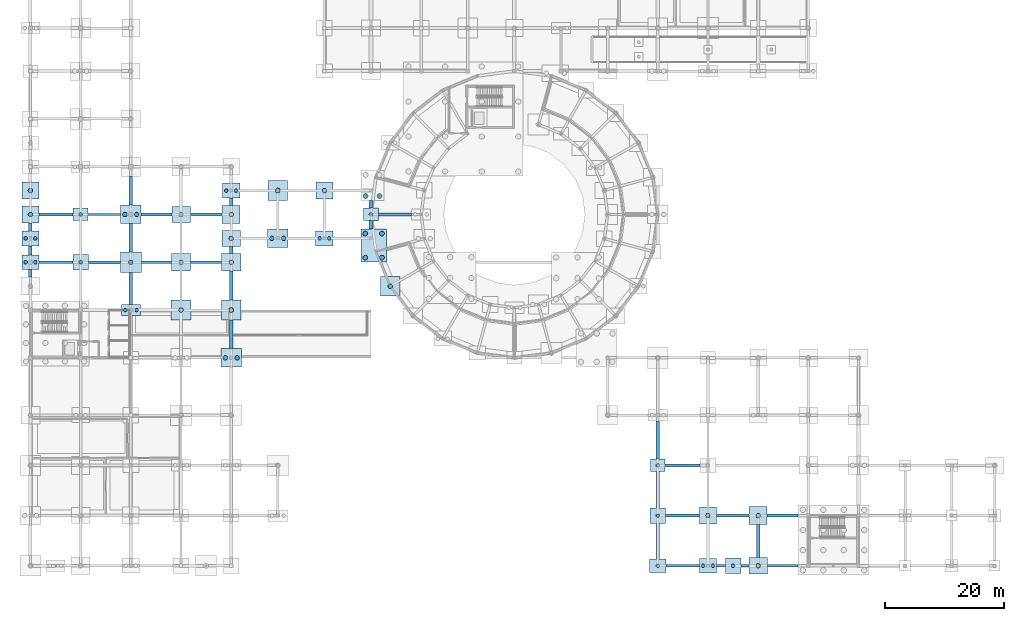
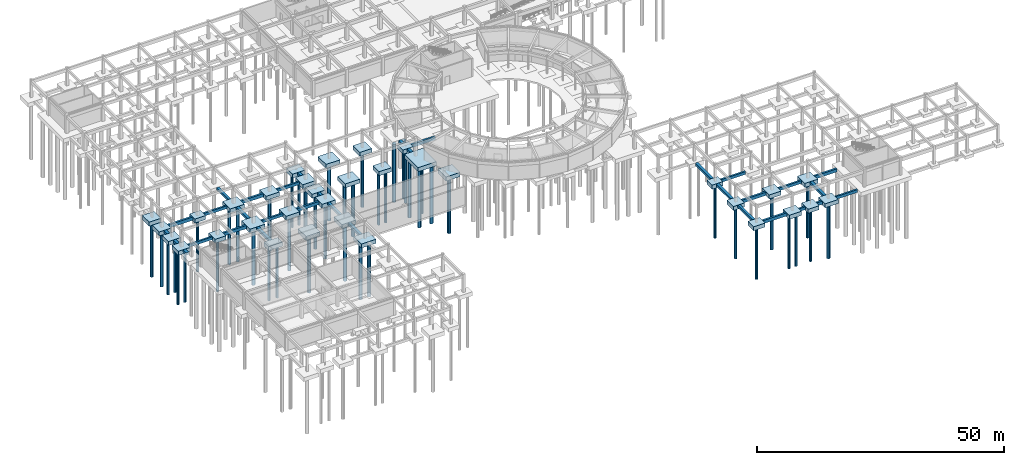
# One storey, part 2 of 43: 66 footings, 47 piles.
"""IFC4 building model written with IfcOpenShell, lengths in metres."""

import ifcopenshell
import ifcopenshell.guid

model = None  # the IFC model being written
_history = None  # IfcOwnerHistory: only IFC2X3 demands one
_inside = {}  # id of a spatial element -> (the spatial element, [elements in it])
_under = {}  # id of a project, library or spatial element -> (it, [spatial elements below it])
_declared = {}  # id of a project -> (the project, [libraries it declares])
_typed = {}  # id of a type object -> (the type object, [elements of that type])
_made_of = {}  # id of a material, layer set ... -> (it, [elements and type objects made of it])


def new_model(schema):
    """Start an empty IFC model of exactly this schema.

    Asked for "IFC4X3", IfcOpenShell would pick the latest addendum, in which some entities
    have other attributes; the version numbers below select the first issue.
    IFC2X3 requires an IfcOwnerHistory on every rooted entity: one is made here for all.
    """
    global model, _history
    if schema == "IFC4X3":
        model = ifcopenshell.file(schema_version=(4, 3, 0, 0))
    else:
        model = ifcopenshell.file(schema=schema)
    _inside.clear()
    _under.clear()
    _declared.clear()
    _typed.clear()
    _made_of.clear()
    _history = None
    if model.schema == "IFC2X3":
        org = make("IfcOrganization", Name="unknown")
        user = make(
            "IfcPersonAndOrganization",
            ThePerson=make("IfcPerson", FamilyName="unknown"),
            TheOrganization=org,
        )
        app = make(
            "IfcApplication",
            ApplicationDeveloper=org,
            Version="unknown",
            ApplicationFullName="unknown",
            ApplicationIdentifier="unknown",
        )
        _history = make(
            "IfcOwnerHistory",
            OwningUser=user,
            OwningApplication=app,
            ChangeAction="ADDED",
            CreationDate=0,
        )
    return model


def make(cls, **values):
    """One entity of the class cls with the attributes given. An attribute that is None is left unset."""
    return model.create_entity(
        cls, **{name: value for name, value in values.items() if value is not None}
    )


def rooted(cls, **values):
    """An entity with a GlobalId (a new one), such as an element, a storey or a relation."""
    return make(cls, GlobalId=ifcopenshell.guid.new(), OwnerHistory=_history, **values)


def si_unit(unit_type, name, prefix=None):
    """IfcSIUnit, for example si_unit("LENGTHUNIT", "METRE", prefix="MILLI")."""
    return make("IfcSIUnit", UnitType=unit_type, Prefix=prefix, Name=name)


def derived_unit(unit_type, elements):
    """IfcDerivedUnit: a product of units, each with its exponent."""
    return make(
        "IfcDerivedUnit",
        Elements=[
            make("IfcDerivedUnitElement", Unit=unit, Exponent=power)
            for unit, power in elements
        ],
        UnitType=unit_type,
    )


def assignment(units):
    """IfcUnitAssignment: the units of a project."""
    return None if units is None else make("IfcUnitAssignment", Units=units)


def point(xyz):
    """IfcCartesianPoint."""
    return None if xyz is None else make("IfcCartesianPoint", Coordinates=xyz)


def direction(xyz):
    """IfcDirection."""
    return None if xyz is None else make("IfcDirection", DirectionRatios=xyz)


def frame(location, z_axis=None, x_axis=None):
    """IfcAxis2Placement3D, a coordinate frame: its origin and axes. An axis left out is left unset."""
    return make(
        "IfcAxis2Placement3D",
        Location=point(location),
        Axis=direction(z_axis),
        RefDirection=direction(x_axis),
    )


def frame_2d(location, x_axis=None):
    """IfcAxis2Placement2D, a coordinate frame in the plane: its origin and x axis."""
    return make(
        "IfcAxis2Placement2D", Location=point(location), RefDirection=direction(x_axis)
    )


def origin():
    """The frame at (0, 0, 0) with its axes left unset."""
    return frame((0.0, 0.0, 0.0))


def origin_2d():
    """The frame at (0, 0) in the plane with its x axis left unset."""
    return frame_2d((0.0, 0.0))


def place(relative_to, where):
    """IfcLocalPlacement: puts the frame where relative to a parent placement (None: the world)."""
    return make(
        "IfcLocalPlacement", PlacementRelTo=relative_to, RelativePlacement=where
    )


def context(
    kind, dimensions, precision=None, world=None, true_north=None, identifier=None
):
    """IfcGeometricRepresentationContext, for example the 3D "Model" context."""
    return make(
        "IfcGeometricRepresentationContext",
        ContextIdentifier=identifier,
        ContextType=kind,
        CoordinateSpaceDimension=dimensions,
        Precision=precision,
        WorldCoordinateSystem=world,
        TrueNorth=true_north,
    )


def subcontext(parent, identifier, kind, view, scale=None):
    """IfcGeometricRepresentationSubContext, for example "Body" below "Model"."""
    return make(
        "IfcGeometricRepresentationSubContext",
        ContextIdentifier=identifier,
        ContextType=kind,
        ParentContext=parent,
        TargetScale=scale,
        TargetView=view,
    )


def project(units=None, contexts=None):
    """IfcProject with its units and contexts."""
    return rooted(
        "IfcProject",
        Name="project",
        RepresentationContexts=contexts,
        UnitsInContext=assignment(units),
    )


def spatial(cls, under=None, at=None, **own):
    """A site, building, storey or space (cls), placed at a placement, below another one or the project."""
    s = rooted(cls, ObjectPlacement=at, **own)
    if under is not None:
        _under.setdefault(under.id(), (under, []))[1].append(s)
    return s


def profile(cls, at=None, kind="AREA", **sizes):
    """A parametric profile (cls). Its sizes go by their IFC names, for example OverallWidth=200.0."""
    return make(cls, ProfileType=kind, Position=at, **sizes)


def rectangle(**sizes):
    """IfcRectangleProfileDef."""
    return profile("IfcRectangleProfileDef", **sizes)


def circle(**sizes):
    """IfcCircleProfileDef."""
    return profile("IfcCircleProfileDef", **sizes)


def extrude(swept, where, along, depth):
    """IfcExtrudedAreaSolid: the profile swept, set in the frame where, extruded along a direction by depth."""
    return make(
        "IfcExtrudedAreaSolid",
        SweptArea=swept,
        Position=where,
        ExtrudedDirection=direction(along),
        Depth=depth,
    )


def shape(context_of_items, identifier, shape_type, items):
    """IfcShapeRepresentation: the items that make up one representation, for example the "Body"."""
    return make(
        "IfcShapeRepresentation",
        ContextOfItems=context_of_items,
        RepresentationIdentifier=identifier,
        RepresentationType=shape_type,
        Items=items,
    )


def material(Name=None, Category=None):
    """IfcMaterial."""
    return make("IfcMaterial", Name=Name, Category=Category)


def material_profile(
    of_material, cross_section, Name=None, Category=None, Priority=None
):
    """IfcMaterialProfile: a cross section and its material."""
    return make(
        "IfcMaterialProfile",
        Name=Name,
        Material=of_material,
        Profile=cross_section,
        Priority=Priority,
        Category=Category,
    )


def profile_set(profiles, Name=None, composite=None):
    """IfcMaterialProfileSet."""
    return make(
        "IfcMaterialProfileSet",
        Name=Name,
        MaterialProfiles=profiles,
        CompositeProfile=composite,
    )


def made_of(thing, what):
    """Note that an element or type object is made of a material, layer set ...; save() writes the relation."""
    if what is not None:
        _made_of.setdefault(what.id(), (what, []))[1].append(thing)
    return thing


def type_object(cls, material=None, **own):
    """A type object (cls), such as IfcWallType, which elements share."""
    return made_of(rooted(cls, **own), material)


def element(
    cls,
    number,
    at=None,
    inside=None,
    cuts=None,
    type_object=None,
    material=None,
    context=None,
    identifier="Body",
    shape_type=None,
    held_by="IfcProductDefinitionShape",
    body=None,
    shapes=None,
    **own,
):
    """One element of the class cls, such as IfcWall. Its Tag is "e" and its number.

    at: its placement. inside: the storey or other place that contains it. cuts: it is an
    opening in that element (IfcRelVoidsElement). A single representation is given by context,
    identifier, shape_type and body (its items); several are given by shapes. held_by: the class
    of the entity that holds the representations. save() writes the other relations.
    """
    e = rooted(cls, Tag="e%d" % number, ObjectPlacement=at, **own)
    if body is not None:
        shapes = [shape(context, identifier, shape_type, body)]
    if shapes is not None:
        e.Representation = make(held_by, Representations=shapes)
    if inside is not None:
        _inside.setdefault(inside.id(), (inside, []))[1].append(e)
    if cuts is not None:
        rooted(
            "IfcRelVoidsElement", RelatingBuildingElement=cuts, RelatedOpeningElement=e
        )
    if type_object is not None:
        _typed.setdefault(type_object.id(), (type_object, []))[1].append(e)
    return made_of(e, material)


def aggregate(whole, parts):
    """IfcRelAggregates: a whole, such as a stair, and the parts it consists of."""
    return rooted("IfcRelAggregates", RelatingObject=whole, RelatedObjects=parts)


def save(model, path):
    """Write the relations noted so far, then the file.

    IfcRelAggregates (storeys below a building ...), IfcRelContainedInSpatialStructure (elements
    in a storey), IfcRelDefinesByType, IfcRelAssociatesMaterial and IfcRelDeclares: one each for
    every whole, place, type object, material and project.
    """
    for whole, parts in _under.values():
        aggregate(whole, parts)
    for where, things in _inside.values():
        rooted(
            "IfcRelContainedInSpatialStructure",
            RelatedElements=things,
            RelatingStructure=where,
        )
    for kind, things in _typed.values():
        rooted("IfcRelDefinesByType", RelatedObjects=things, RelatingType=kind)
    for what, things in _made_of.values():
        rooted("IfcRelAssociatesMaterial", RelatedObjects=things, RelatingMaterial=what)
    for by, libraries in _declared.values():
        rooted("IfcRelDeclares", RelatingContext=by, RelatedDefinitions=libraries)
    model.write(path)


model = new_model("IFC4")

# Units and contexts
model_context = context("Model", 3, precision=1e-05, world=origin(), true_north=direction((0.0, 1.0)))
body_context = subcontext(model_context, "Body", "Model", "MODEL_VIEW")
ifc_project = project(units=[si_unit("LENGTHUNIT", "METRE"), si_unit("AREAUNIT", "SQUARE_METRE"), si_unit("VOLUMEUNIT", "CUBIC_METRE"), si_unit("PLANEANGLEUNIT", "RADIAN"), si_unit("MASSUNIT", "GRAM", prefix="KILO"), derived_unit("THERMALTRANSMITTANCEUNIT", [(si_unit("POWERUNIT", "WATT"), 1), (si_unit("AREAUNIT", "SQUARE_METRE"), -1), (si_unit("THERMODYNAMICTEMPERATUREUNIT", "KELVIN"), -1)])], contexts=[model_context])

# Site, building, storey
site_placement = place(None, origin())
site = spatial("IfcSite", under=ifc_project, at=site_placement, CompositionType="ELEMENT")
building_placement = place(site_placement, origin())
building = spatial("IfcBuilding", under=site, at=building_placement, Name="Yasenodar Specialist Clinic", CompositionType="ELEMENT")
storey_placement = place(building_placement, frame((0.0, 0.0, -4.5)))
storey = spatial("IfcBuildingStorey", under=building, at=storey_placement, Name="B1", CompositionType="ELEMENT", Elevation=-4.5)

# Footings
ifc_material_1 = material(Name="Concrete C35/45", Category="concrete")
ifc_material_profile_1 = material_profile(ifc_material_1, rectangle(XDim=0.39990234375, YDim=0.699951171875, at=origin_2d()), Name="RC 400x700")
ifc_profile_set_1 = profile_set([ifc_material_profile_1], Name="Concrete C35/45")
footing_type_1 = type_object("IfcFootingType", Name="FB-400x700", PredefinedType="FOOTING_BEAM", material=ifc_profile_set_1)
footing_1_placement = place(storey_placement, frame((114.85009765625, 0.0, -0.39990234375), z_axis=(1.0, 0.0, 0.0), x_axis=(0.0, 1.0, 0.0)))
element("IfcFooting", 1, at=footing_1_placement, inside=storey, type_object=footing_type_1, Name="B1 E-W Ground Tie Beam 004", PredefinedType="FOOTING_BEAM", context=body_context, shape_type="SweptSolid", body=[
    extrude(rectangle(XDim=0.39990234375, YDim=0.699951171875, at=origin_2d()), origin(), (0.0, 0.0, 1.0), 1.449951171875),
])
footing_2_placement = place(storey_placement, frame((123.35009765625, 0.0, -0.39990234375), z_axis=(1.0, 0.0, 0.0), x_axis=(0.0, 1.0, 0.0)))
element("IfcFooting", 2, at=footing_2_placement, inside=storey, type_object=footing_type_1, Name="B1 E-W Ground Tie Beam 006", PredefinedType="FOOTING_BEAM", context=body_context, shape_type="SweptSolid", body=[
    extrude(rectangle(XDim=0.39990234375, YDim=0.699951171875, at=origin_2d()), origin(), (0.0, 0.0, 1.0), 5.14990234375),
])
footing_3_placement = place(storey_placement, frame((114.800048828125, 8.39990234375, -0.39990234375), z_axis=(1.0, 0.0, 0.0), x_axis=(0.0, 1.0, 0.0)))
element("IfcFooting", 3, at=footing_3_placement, inside=storey, type_object=footing_type_1, Name="B1 E-W Ground Tie Beam 016", PredefinedType="FOOTING_BEAM", context=body_context, shape_type="SweptSolid", body=[
    extrude(rectangle(XDim=0.39990234375, YDim=0.699951171875, at=origin_2d()), origin(), (0.0, 0.0, 1.0), 5.5),
])
footing_4_placement = place(storey_placement, frame((106.25, 16.800048828125, -0.39990234375), z_axis=(1.0, 0.0, 0.0), x_axis=(0.0, 1.0, 0.0)))
element("IfcFooting", 4, at=footing_4_placement, inside=storey, type_object=footing_type_1, Name="B1 E-W Ground Tie Beam 026", PredefinedType="FOOTING_BEAM", context=body_context, shape_type="SweptSolid", body=[
    extrude(rectangle(XDim=0.39990234375, YDim=0.699951171875, at=origin_2d()), origin(), (0.0, 0.0, 1.0), 5.800048828125),
])
footing_5_placement = place(storey_placement, frame((1.449951171875, 50.800048828125, -0.39990234375), z_axis=(1.0, 0.0, 0.0), x_axis=(0.0, 1.0, 0.0)))
element("IfcFooting", 5, at=footing_5_placement, inside=storey, type_object=footing_type_1, Name="B1 E-W Ground Tie Beam 052", PredefinedType="FOOTING_BEAM", context=body_context, shape_type="SweptSolid", body=[
    extrude(rectangle(XDim=0.39990234375, YDim=0.699951171875, at=origin_2d()), origin(), (0.0, 0.0, 1.0), 5.650146484375),
])
footing_6_placement = place(storey_placement, frame((18.550048828125, 50.800048828125, -0.39990234375), z_axis=(1.0, 0.0, 0.0), x_axis=(0.0, 1.0, 0.0)))
element("IfcFooting", 6, at=footing_6_placement, inside=storey, type_object=footing_type_1, Name="B1 E-W Ground Tie Beam 054", PredefinedType="FOOTING_BEAM", context=body_context, shape_type="SweptSolid", body=[
    extrude(rectangle(XDim=0.39990234375, YDim=0.699951171875, at=origin_2d()), origin(), (0.0, 0.0, 1.0), 5.050048828125),
])
footing_7_placement = place(storey_placement, frame((9.64990234375, 58.800048828125, -0.39990234375), z_axis=(1.0, 0.0, 0.0), x_axis=(0.0, 1.0, 0.0)))
element("IfcFooting", 7, at=footing_7_placement, inside=storey, type_object=footing_type_1, Name="B1 E-W Ground Tie Beam 058", PredefinedType="FOOTING_BEAM", context=body_context, shape_type="SweptSolid", body=[
    extrude(rectangle(XDim=0.39990234375, YDim=0.699951171875, at=origin_2d()), origin(), (0.0, 0.0, 1.0), 5.4501953125),
])
footing_8_placement = place(storey_placement, frame((26.75, 58.800048828125, -0.39990234375), z_axis=(1.0, 0.0, 0.0), x_axis=(0.0, 1.0, 0.0)))
element("IfcFooting", 8, at=footing_8_placement, inside=storey, type_object=footing_type_1, Name="B1 E-W Ground Tie Beam 060", PredefinedType="FOOTING_BEAM", context=body_context, shape_type="SweptSolid", body=[
    extrude(rectangle(XDim=0.39990234375, YDim=0.699951171875, at=origin_2d()), origin(), (0.0, 0.0, 1.0), 5.35009765625),
])
ifc_material_profile_2 = material_profile(ifc_material_1, rectangle(XDim=0.449951171875, YDim=0.800048828125, at=origin_2d()), Name="RC 450x800")
ifc_profile_set_2 = profile_set([ifc_material_profile_2], Name="Concrete C35/45")
footing_type_2 = type_object("IfcFootingType", Name="FB-450x800", PredefinedType="FOOTING_BEAM", material=ifc_profile_set_2)
footing_9_placement = place(storey_placement, frame((106.35009765625, 0.0, -0.39990234375), z_axis=(1.0, 0.0, 0.0), x_axis=(0.0, 1.0, 0.0)))
element("IfcFooting", 9, at=footing_9_placement, inside=storey, type_object=footing_type_2, Name="B1 E-W Ground Tie Beam 003", PredefinedType="FOOTING_BEAM", context=body_context, shape_type="SweptSolid", body=[
    extrude(rectangle(XDim=0.449951171875, YDim=0.800048828125, at=origin_2d()), origin(), (0.0, 0.0, 1.0), 5.599853515625),
])
footing_10_placement = place(storey_placement, frame((118.89990234375, 0.0, -0.39990234375), z_axis=(1.0, 0.0, 0.0), x_axis=(0.0, 1.0, 0.0)))
element("IfcFooting", 10, at=footing_10_placement, inside=storey, type_object=footing_type_2, Name="B1 E-W Ground Tie Beam 005", PredefinedType="FOOTING_BEAM", context=body_context, shape_type="SweptSolid", body=[
    extrude(rectangle(XDim=0.449951171875, YDim=0.800048828125, at=origin_2d()), origin(), (0.0, 0.0, 1.0), 1.35009765625),
])
footing_11_placement = place(storey_placement, frame((106.300048828125, 8.39990234375, -0.39990234375), z_axis=(1.0, 0.0, 0.0), x_axis=(0.0, 1.0, 0.0)))
element("IfcFooting", 11, at=footing_11_placement, inside=storey, type_object=footing_type_2, Name="B1 E-W Ground Tie Beam 015", PredefinedType="FOOTING_BEAM", context=body_context, shape_type="SweptSolid", body=[
    extrude(rectangle(XDim=0.449951171875, YDim=0.800048828125, at=origin_2d()), origin(), (0.0, 0.0, 1.0), 5.699951171875),
])
footing_12_placement = place(storey_placement, frame((123.300048828125, 8.39990234375, -0.39990234375), z_axis=(1.0, 0.0, 0.0), x_axis=(0.0, 1.0, 0.0)))
element("IfcFooting", 12, at=footing_12_placement, inside=storey, type_object=footing_type_2, Name="B1 E-W Ground Tie Beam 017", PredefinedType="FOOTING_BEAM", context=body_context, shape_type="SweptSolid", body=[
    extrude(rectangle(XDim=0.449951171875, YDim=0.800048828125, at=origin_2d()), origin(), (0.0, 0.0, 1.0), 5.199951171875),
])
footing_13_placement = place(storey_placement, frame((9.699951171875, 50.800048828125, -0.39990234375), z_axis=(1.0, 0.0, 0.0), x_axis=(0.0, 1.0, 0.0)))
element("IfcFooting", 13, at=footing_13_placement, inside=storey, type_object=footing_type_2, Name="B1 E-W Ground Tie Beam 053", PredefinedType="FOOTING_BEAM", context=body_context, shape_type="SweptSolid", body=[
    extrude(rectangle(XDim=0.449951171875, YDim=0.800048828125, at=origin_2d()), origin(), (0.0, 0.0, 1.0), 5.35009765625),
])
footing_14_placement = place(storey_placement, frame((26.800048828125, 50.800048828125, -0.39990234375), z_axis=(1.0, 0.0, 0.0), x_axis=(0.0, 1.0, 0.0)))
element("IfcFooting", 14, at=footing_14_placement, inside=storey, type_object=footing_type_2, Name="B1 E-W Ground Tie Beam 055", PredefinedType="FOOTING_BEAM", context=body_context, shape_type="SweptSolid", body=[
    extrude(rectangle(XDim=0.449951171875, YDim=0.800048828125, at=origin_2d()), origin(), (0.0, 0.0, 1.0), 5.199951171875),
])
footing_15_placement = place(storey_placement, frame((1.39990234375, 58.800048828125, -0.39990234375), z_axis=(1.0, 0.0, 0.0), x_axis=(0.0, 1.0, 0.0)))
element("IfcFooting", 15, at=footing_15_placement, inside=storey, type_object=footing_type_2, Name="B1 E-W Ground Tie Beam 057", PredefinedType="FOOTING_BEAM", context=body_context, shape_type="SweptSolid", body=[
    extrude(rectangle(XDim=0.449951171875, YDim=0.800048828125, at=origin_2d()), origin(), (0.0, 0.0, 1.0), 5.75),
])
footing_16_placement = place(storey_placement, frame((18.5, 58.800048828125, -0.39990234375), z_axis=(1.0, 0.0, 0.0), x_axis=(0.0, 1.0, 0.0)))
element("IfcFooting", 16, at=footing_16_placement, inside=storey, type_object=footing_type_2, Name="B1 E-W Ground Tie Beam 059", PredefinedType="FOOTING_BEAM", context=body_context, shape_type="SweptSolid", body=[
    extrude(rectangle(XDim=0.449951171875, YDim=0.800048828125, at=origin_2d()), origin(), (0.0, 0.0, 1.0), 5.14990234375),
])
footing_17_placement = place(storey_placement, frame((58.25, 58.800048828125, -0.39990234375), z_axis=(1.0, 0.0, 0.0), x_axis=(0.0, 1.0, 0.0)))
element("IfcFooting", 17, at=footing_17_placement, inside=storey, type_object=footing_type_2, Name="B1 E-W Ground Tie Beam 061", PredefinedType="FOOTING_BEAM", context=body_context, shape_type="SweptSolid", body=[
    extrude(rectangle(XDim=0.449951171875, YDim=0.800048828125, at=origin_2d()), origin(), (0.0, 0.0, 1.0), 5.550048828125),
])
ifc_material_profile_3 = material_profile(ifc_material_1, rectangle(XDim=0.60009765625, YDim=0.60009765625, at=origin_2d()), Name="RC 600x600")
ifc_profile_set_3 = profile_set([ifc_material_profile_3], Name="Concrete C35/45")
footing_type_3 = type_object("IfcFootingType", Name="FB-600x600", PredefinedType="FOOTING_BEAM", material=ifc_profile_set_3)
footing_18_placement = place(storey_placement, frame((0.0, 48.300048828125, -0.300048828125), z_axis=(0.0, 1.0, 0.0), x_axis=(-1.0, 0.0, 0.0)))
element("IfcFooting", 18, at=footing_18_placement, inside=storey, type_object=footing_type_3, Name="B1 N-S Ground Tie Beam 127", PredefinedType="FOOTING_BEAM", context=body_context, shape_type="SweptSolid", body=[
    extrude(rectangle(XDim=0.60009765625, YDim=0.60009765625, at=origin_2d()), origin(), (0.0, 0.0, 1.0), 1.25),
])
footing_19_placement = place(storey_placement, frame((0.0, 52.050048828125, -0.300048828125), z_axis=(0.0, 1.0, 0.0), x_axis=(-1.0, 0.0, 0.0)))
element("IfcFooting", 19, at=footing_19_placement, inside=storey, type_object=footing_type_3, Name="B1 N-S Ground Tie Beam 128", PredefinedType="FOOTING_BEAM", context=body_context, shape_type="SweptSolid", body=[
    extrude(rectangle(XDim=0.60009765625, YDim=0.60009765625, at=origin_2d()), origin(), (0.0, 0.0, 1.0), 1.5),
])
footing_20_placement = place(storey_placement, frame((0.0, 56.050048828125, -0.300048828125), z_axis=(0.0, 1.0, 0.0), x_axis=(-1.0, 0.0, 0.0)))
element("IfcFooting", 20, at=footing_20_placement, inside=storey, type_object=footing_type_3, Name="B1 N-S Ground Tie Beam 129", PredefinedType="FOOTING_BEAM", context=body_context, shape_type="SweptSolid", body=[
    extrude(rectangle(XDim=0.60009765625, YDim=0.60009765625, at=origin_2d()), origin(), (0.0, 0.0, 1.0), 1.349853515625),
])
footing_21_placement = place(storey_placement, frame((16.800048828125, 43.75, -0.300048828125), z_axis=(0.0, 1.0, 0.0), x_axis=(-1.0, 0.0, 0.0)))
element("IfcFooting", 21, at=footing_21_placement, inside=storey, type_object=footing_type_3, Name="B1 N-S Ground Tie Beam 142", PredefinedType="FOOTING_BEAM", context=body_context, shape_type="SweptSolid", body=[
    extrude(rectangle(XDim=0.60009765625, YDim=0.60009765625, at=origin_2d()), origin(), (0.0, 0.0, 1.0), 5.300048828125),
])
footing_22_placement = place(storey_placement, frame((16.800048828125, 52.550048828125, -0.300048828125), z_axis=(0.0, 1.0, 0.0), x_axis=(-1.0, 0.0, 0.0)))
element("IfcFooting", 22, at=footing_22_placement, inside=storey, type_object=footing_type_3, Name="B1 N-S Ground Tie Beam 143", PredefinedType="FOOTING_BEAM", context=body_context, shape_type="SweptSolid", body=[
    extrude(rectangle(XDim=0.60009765625, YDim=0.60009765625, at=origin_2d()), origin(), (0.0, 0.0, 1.0), 4.699951171875),
])
for number, where, z_axis, x_axis, name in (
    (23, (16.800048828125, 60.35009765625, -0.300048828125), (0.0, 1.0, 0.0), (-1.0, 0.0, 0.0), "B1 N-S Ground Tie Beam 144"),
    (24, (33.60009765625, 36.35009765625, -0.300048828125), (0.0, 1.0, 0.0), (-1.0, 0.0, 0.0), "B1 N-S Ground Tie Beam 155"),
):
    element("IfcFooting", number, at=place(storey_placement, frame(where, z_axis=z_axis, x_axis=x_axis)), inside=storey, type_object=footing_type_3, Name=name, PredefinedType="FOOTING_BEAM", context=body_context, shape_type="SweptSolid", body=[
        extrude(rectangle(XDim=0.60009765625, YDim=0.60009765625, at=origin_2d()), origin(), (0.0, 0.0, 1.0), 4.7998046875),
    ])
footing_23_placement = place(storey_placement, frame((33.60009765625, 44.449951171875, -0.300048828125), z_axis=(0.0, 1.0, 0.0), x_axis=(-1.0, 0.0, 0.0)))
element("IfcFooting", 25, at=footing_23_placement, inside=storey, type_object=footing_type_3, Name="B1 N-S Ground Tie Beam 156", PredefinedType="FOOTING_BEAM", context=body_context, shape_type="SweptSolid", body=[
    extrude(rectangle(XDim=0.60009765625, YDim=0.60009765625, at=origin_2d()), origin(), (0.0, 0.0, 1.0), 4.900146484375),
])
footing_24_placement = place(storey_placement, frame((33.60009765625, 52.25, -0.300048828125), z_axis=(0.0, 1.0, 0.0), x_axis=(-1.0, 0.0, 0.0)))
element("IfcFooting", 26, at=footing_24_placement, inside=storey, type_object=footing_type_3, Name="B1 N-S Ground Tie Beam 157", PredefinedType="FOOTING_BEAM", context=body_context, shape_type="SweptSolid", body=[
    extrude(rectangle(XDim=0.60009765625, YDim=0.60009765625, at=origin_2d()), origin(), (0.0, 0.0, 1.0), 1.199951171875),
])
footing_25_placement = place(storey_placement, frame((33.60009765625, 60.300048828125, -0.300048828125), z_axis=(0.0, 1.0, 0.0), x_axis=(-1.0, 0.0, 0.0)))
element("IfcFooting", 27, at=footing_25_placement, inside=storey, type_object=footing_type_3, Name="B1 N-S Ground Tie Beam 158", PredefinedType="FOOTING_BEAM", context=body_context, shape_type="SweptSolid", body=[
    extrude(rectangle(XDim=0.60009765625, YDim=0.60009765625, at=origin_2d()), origin(), (0.0, 0.0, 1.0), 1.25),
])
footing_26_placement = place(storey_placement, frame((57.0, 56.35009765625, -0.300048828125), z_axis=(0.0, 1.0, 0.0), x_axis=(-1.0, 0.0, 0.0)))
element("IfcFooting", 28, at=footing_26_placement, inside=storey, type_object=footing_type_3, Name="B1 N-S Ground Tie Beam 162", PredefinedType="FOOTING_BEAM", context=body_context, shape_type="SweptSolid", body=[
    extrude(rectangle(XDim=0.60009765625, YDim=0.60009765625, at=origin_2d()), origin(), (0.0, 0.0, 1.0), 1.39990234375),
])
footing_27_placement = place(storey_placement, frame((57.0, 59.85009765625, -0.300048828125), z_axis=(0.0, 1.0, 0.0), x_axis=(-1.0, 0.0, 0.0)))
element("IfcFooting", 29, at=footing_27_placement, inside=storey, type_object=footing_type_3, Name="B1 N-S Ground Tie Beam 163", PredefinedType="FOOTING_BEAM", context=body_context, shape_type="SweptSolid", body=[
    extrude(rectangle(XDim=0.60009765625, YDim=0.60009765625, at=origin_2d()), origin(), (0.0, 0.0, 1.0), 1.2998046875),
])
footing_28_placement = place(storey_placement, frame((105.0, 1.14990234375, -0.300048828125), z_axis=(0.0, 1.0, 0.0), x_axis=(-1.0, 0.0, 0.0)))
element("IfcFooting", 30, at=footing_28_placement, inside=storey, type_object=footing_type_3, Name="B1 N-S Ground Tie Beam 171", PredefinedType="FOOTING_BEAM", context=body_context, shape_type="SweptSolid", body=[
    extrude(rectangle(XDim=0.60009765625, YDim=0.60009765625, at=origin_2d()), origin(), (0.0, 0.0, 1.0), 5.9501953125),
])
footing_29_placement = place(storey_placement, frame((105.0, 9.699951171875, -0.300048828125), z_axis=(0.0, 1.0, 0.0), x_axis=(-1.0, 0.0, 0.0)))
element("IfcFooting", 31, at=footing_29_placement, inside=storey, type_object=footing_type_3, Name="B1 N-S Ground Tie Beam 172", PredefinedType="FOOTING_BEAM", context=body_context, shape_type="SweptSolid", body=[
    extrude(rectangle(XDim=0.60009765625, YDim=0.60009765625, at=origin_2d()), origin(), (0.0, 0.0, 1.0), 6.050048828125),
])
footing_30_placement = place(storey_placement, frame((105.0, 17.85009765625, -0.300048828125), z_axis=(0.0, 1.0, 0.0), x_axis=(-1.0, 0.0, 0.0)))
element("IfcFooting", 32, at=footing_30_placement, inside=storey, type_object=footing_type_3, Name="B1 N-S Ground Tie Beam 173", PredefinedType="FOOTING_BEAM", context=body_context, shape_type="SweptSolid", body=[
    extrude(rectangle(XDim=0.60009765625, YDim=0.60009765625, at=origin_2d()), origin(), (0.0, 0.0, 1.0), 6.39990234375),
])
footing_31_placement = place(storey_placement, frame((121.800048828125, 1.35009765625, -0.300048828125), z_axis=(0.0, 1.0, 0.0), x_axis=(-1.0, 0.0, 0.0)))
element("IfcFooting", 33, at=footing_31_placement, inside=storey, type_object=footing_type_3, Name="B1 N-S Ground Tie Beam 181", PredefinedType="FOOTING_BEAM", context=body_context, shape_type="SweptSolid", body=[
    extrude(rectangle(XDim=0.60009765625, YDim=0.60009765625, at=origin_2d()), origin(), (0.0, 0.0, 1.0), 5.5498046875),
])
footing_type_4 = type_object("IfcFootingType", Name="PC-250x210", PredefinedType="PILE_CAP", material=ifc_material_1)
for number, where, z_axis, x_axis, name in (
    (34, (105.0, 16.800048828125, -1.0), (0.0, 0.0, 1.0), (1.0, 0.0, 0.0), "B1 Pile Cap 030"),
    (35, (8.39990234375, 58.800048828125, -1.0), (0.0, 0.0, 1.0), (1.0, 0.0, 0.0), "B1 Pile Cap 090"),
    (36, (57.0, 58.800048828125, -1.0), (0.0, 0.0, 1.0), (1.0, 0.0, 0.0), "B1 Pile Cap 091"),
):
    element("IfcFooting", number, at=place(storey_placement, frame(where, z_axis=z_axis, x_axis=x_axis)), inside=storey, type_object=footing_type_4, Name=name, PredefinedType="PILE_CAP", context=body_context, shape_type="SweptSolid", body=[
        extrude(rectangle(XDim=2.5, YDim=2.10009765625, at=origin_2d()), origin(), (0.0, 0.0, 1.0), 1.0),
    ])
footing_type_5 = type_object("IfcFootingType", Name="PC-260x260", PredefinedType="PILE_CAP", material=ifc_material_1)
for number, where, z_axis, x_axis, name in (
    (37, (117.60009765625, 0.0, -1.0), (0.0, 0.0, 1.0), (1.0, 0.0, 0.0), "B1 Pile Cap 008"),
    (38, (105.0, 8.39990234375, -1.0), (0.0, 0.0, 1.0), (1.0, 0.0, 0.0), "B1 Pile Cap 018"),
    (39, (8.39990234375, 50.800048828125, -1.0), (0.0, 0.0, 1.0), (1.0, 0.0, 0.0), "B1 Pile Cap 074"),
):
    element("IfcFooting", number, at=place(storey_placement, frame(where, z_axis=z_axis, x_axis=x_axis)), inside=storey, type_object=footing_type_5, Name=name, PredefinedType="PILE_CAP", context=body_context, shape_type="SweptSolid", body=[
        extrude(rectangle(XDim=2.60009765625, YDim=2.60009765625, at=origin_2d()), origin(), (0.0, 0.0, 1.0), 1.0),
    ])
footing_type_6 = type_object("IfcFootingType", Name="PC-270x230", PredefinedType="PILE_CAP", material=ifc_material_1)
footing_32_placement = place(storey_placement, frame((105.0, 0.0, -1.0), z_axis=(0.0, 0.0, 1.0), x_axis=(1.0, 0.0, 0.0)))
element("IfcFooting", 40, at=footing_32_placement, inside=storey, type_object=footing_type_6, Name="B1 Pile Cap 011", PredefinedType="PILE_CAP", context=body_context, shape_type="SweptSolid", body=[
    extrude(rectangle(XDim=2.699951171875, YDim=2.300048828125, at=origin_2d()), origin(), (0.0, 0.0, 1.0), 1.0),
])
footing_type_7 = type_object("IfcFootingType", Name="PC-280x280", PredefinedType="PILE_CAP", material=ifc_material_1)
for number, where, z_axis, x_axis, name in (
    (41, (113.39990234375, 8.39990234375, -1.0), (0.0, 0.0, 1.0), (1.0, 0.0, 0.0), "B1 Pile Cap 016"),
    (42, (0.0, 58.800048828125, -1.0), (0.0, 0.0, 1.0), (1.0, 0.0, 0.0), "B1 Pile Cap 088"),
    (43, (0.0, 62.800048828125, -1.0), (0.0, 0.0, 1.0), (1.0, 0.0, 0.0), "B1 Pile Cap 095"),
    (44, (49.199951171875, 62.800048828125, -1.0), (0.0, 0.0, 1.0), (1.0, 0.0, 0.0), "B1 Pile Cap 096"),
):
    element("IfcFooting", number, at=place(storey_placement, frame(where, z_axis=z_axis, x_axis=x_axis)), inside=storey, type_object=footing_type_7, Name=name, PredefinedType="PILE_CAP", context=body_context, shape_type="SweptSolid", body=[
        extrude(rectangle(XDim=2.800048828125, YDim=2.800048828125, at=origin_2d()), origin(), (0.0, 0.0, 1.0), 1.0),
    ])
footing_type_8 = type_object("IfcFootingType", Name="PC-290x250", PredefinedType="PILE_CAP", material=ifc_material_1)
for number, where, z_axis, x_axis, name in (
    (45, (113.39990234375, 0.0, -1.0), (0.0, 0.0, 1.0), (1.0, 0.0, 0.0), "B1 Pile Cap 010"),
    (46, (0.0, 50.800048828125, -1.0), (0.0, 0.0, 1.0), (1.0, 0.0, 0.0), "B1 Pile Cap 075"),
    (47, (0.0, 54.800048828125, -1.0), (0.0, 0.0, 1.0), (1.0, 0.0, 0.0), "B1 Pile Cap 082"),
    (48, (49.199951171875, 54.800048828125, -1.0), (0.0, 0.0, 1.0), (1.0, 0.0, 0.0), "B1 Pile Cap 083"),
    (49, (33.60009765625, 62.800048828125, -1.0), (0.0, 0.0, 1.0), (1.0, 0.0, 0.0), "B1 Pile Cap 099"),
):
    element("IfcFooting", number, at=place(storey_placement, frame(where, z_axis=z_axis, x_axis=x_axis)), inside=storey, type_object=footing_type_8, Name=name, PredefinedType="PILE_CAP", context=body_context, shape_type="SweptSolid", body=[
        extrude(rectangle(XDim=2.89990234375, YDim=2.5, at=origin_2d()), origin(), (0.0, 0.0, 1.0), 1.0),
    ])
footing_type_9 = type_object("IfcFootingType", Name="PC-300x300", PredefinedType="PILE_CAP", material=ifc_material_1)
for number, where, z_axis, x_axis, name in (
    (50, (121.800048828125, 8.39990234375, -1.0), (0.0, 0.0, 1.0), (1.0, 0.0, 0.0), "B1 Pile Cap 014"),
    (51, (33.60009765625, 58.800048828125, -1.0), (0.0, 0.0, 1.0), (1.0, 0.0, 0.0), "B1 Pile Cap 087"),
):
    element("IfcFooting", number, at=place(storey_placement, frame(where, z_axis=z_axis, x_axis=x_axis)), inside=storey, type_object=footing_type_9, Name=name, PredefinedType="PILE_CAP", context=body_context, shape_type="SweptSolid", body=[
        extrude(rectangle(XDim=3.0, YDim=3.0, at=origin_2d()), origin(), (0.0, 0.0, 1.0), 1.0),
    ])
footing_type_10 = type_object("IfcFootingType", Name="PC-310x270", PredefinedType="PILE_CAP", material=ifc_material_1)
for number, where, z_axis, x_axis, name in (
    (52, (121.800048828125, 0.0, -1.0), (0.0, 0.0, 1.0), (1.0, 0.0, 0.0), "B1 Pile Cap 005"),
    (53, (33.60009765625, 54.800048828125, -1.0), (0.0, 0.0, 1.0), (1.0, 0.0, 0.0), "B1 Pile Cap 080"),
    (54, (25.199951171875, 58.800048828125, -1.0), (0.0, 0.0, 1.0), (1.0, 0.0, 0.0), "B1 Pile Cap 089"),
):
    element("IfcFooting", number, at=place(storey_placement, frame(where, z_axis=z_axis, x_axis=x_axis)), inside=storey, type_object=footing_type_10, Name=name, PredefinedType="PILE_CAP", context=body_context, shape_type="SweptSolid", body=[
        extrude(rectangle(XDim=3.10009765625, YDim=2.699951171875, at=origin_2d()), origin(), (0.0, 0.0, 1.0), 1.0),
    ])
footing_type_11 = type_object("IfcFootingType", Name="PC-320x190", PredefinedType="PILE_CAP", material=ifc_material_1)
footing_33_placement = place(storey_placement, frame((16.800048828125, 42.800048828125, -1.0), z_axis=(0.0, 0.0, 1.0), x_axis=(1.0, 0.0, 0.0)))
element("IfcFooting", 55, at=footing_33_placement, inside=storey, type_object=footing_type_11, Name="B1 Pile Cap 062", PredefinedType="PILE_CAP", context=body_context, shape_type="SweptSolid", body=[
    extrude(rectangle(XDim=3.199951171875, YDim=1.89990234375, at=origin_2d()), origin(), (0.0, 0.0, 1.0), 1.0),
])
footing_type_12 = type_object("IfcFootingType", Name="PC-320x290", PredefinedType="PILE_CAP", material=ifc_material_1)
for number, where, z_axis, x_axis, name in (
    (56, (25.199951171875, 50.800048828125, -1.0), (0.0, 0.0, 1.0), (1.0, 0.0, 0.0), "B1 Pile Cap 072"),
    (57, (33.60009765625, 50.800048828125, -1.0), (0.0, 0.0, 1.0), (1.0, 0.0, 0.0), "B1 Pile Cap 073"),
):
    element("IfcFooting", number, at=place(storey_placement, frame(where, z_axis=z_axis, x_axis=x_axis)), inside=storey, type_object=footing_type_12, Name=name, PredefinedType="PILE_CAP", context=body_context, shape_type="SweptSolid", body=[
        extrude(rectangle(XDim=3.199951171875, YDim=2.89990234375, at=origin_2d()), origin(), (0.0, 0.0, 1.0), 1.0),
    ])
footing_type_13 = type_object("IfcFootingType", Name="PC-330x330", PredefinedType="PILE_CAP", material=ifc_material_1)
for number, where, z_axis, x_axis, name in (
    (58, (25.199951171875, 42.800048828125, -1.0), (0.0, 0.0, 1.0), (1.0, 0.0, 0.0), "B1 Pile Cap 060"),
    (59, (33.60009765625, 42.800048828125, -1.0), (0.0, 0.0, 1.0), (1.0, 0.0, 0.0), "B1 Pile Cap 061"),
    (60, (60.215087890625, 46.800048828125, -1.0), (0.0, 0.0, 1.0), (1.0, 0.0, 0.0), "B1 Pile Cap 068"),
    (61, (41.39990234375, 62.800048828125, -1.0), (0.0, 0.0, 1.0), (1.0, 0.0, 0.0), "B1 Pile Cap 093"),
):
    element("IfcFooting", number, at=place(storey_placement, frame(where, z_axis=z_axis, x_axis=x_axis)), inside=storey, type_object=footing_type_13, Name=name, PredefinedType="PILE_CAP", context=body_context, shape_type="SweptSolid", body=[
        extrude(rectangle(XDim=3.300048828125, YDim=3.300048828125, at=origin_2d()), origin(), (0.0, 0.0, 1.0), 1.0),
    ])
footing_type_14 = type_object("IfcFootingType", Name="PC-340x310", PredefinedType="PILE_CAP", material=ifc_material_1)
for number, where, z_axis, x_axis, name in (
    (62, (33.60009765625, 34.800048828125, -1.0), (0.0, 0.0, 1.0), (1.0, 0.0, 0.0), "B1 Pile Cap 046"),
    (63, (41.39990234375, 54.800048828125, -1.0), (0.0, 0.0, 1.0), (1.0, 0.0, 0.0), "B1 Pile Cap 079"),
    (64, (16.800048828125, 58.800048828125, -1.0), (0.0, 0.0, 1.0), (1.0, 0.0, 0.0), "B1 Pile Cap 085"),
):
    element("IfcFooting", number, at=place(storey_placement, frame(where, z_axis=z_axis, x_axis=x_axis)), inside=storey, type_object=footing_type_14, Name=name, PredefinedType="PILE_CAP", context=body_context, shape_type="SweptSolid", body=[
        extrude(rectangle(XDim=3.39990234375, YDim=3.10009765625, at=origin_2d()), origin(), (0.0, 0.0, 1.0), 1.0),
    ])
footing_type_15 = type_object("IfcFootingType", Name="PC-350x350", PredefinedType="PILE_CAP", material=ifc_material_1)
footing_34_placement = place(storey_placement, frame((16.800048828125, 50.800048828125, -1.0), z_axis=(0.0, 0.0, 1.0), x_axis=(1.0, 0.0, 0.0)))
element("IfcFooting", 65, at=footing_34_placement, inside=storey, type_object=footing_type_15, Name="B1 Pile Cap 071", PredefinedType="PILE_CAP", context=body_context, shape_type="SweptSolid", body=[
    extrude(rectangle(XDim=3.5, YDim=3.5, at=origin_2d()), origin(), (0.0, 0.0, 1.0), 1.0),
])
footing_type_16 = type_object("IfcFootingType", Name="PC-427x551", PredefinedType="PILE_CAP", material=ifc_material_1)
footing_35_placement = place(storey_placement, frame((57.43408203125, 53.593994140625, -1.0), z_axis=(0.0, 0.0, 1.0), x_axis=(1.0, 0.0, 0.0)))
element("IfcFooting", 66, at=footing_35_placement, inside=storey, type_object=footing_type_16, Name="B1 Pile Cap 076", PredefinedType="PILE_CAP", context=body_context, shape_type="SweptSolid", body=[
    extrude(rectangle(XDim=4.27001953125, YDim=5.510009765625, at=origin_2d()), origin(), (0.0, 0.0, 1.0), 1.0),
])

# Piles
ifc_material_2 = material(Name="Concrete C30/37", Category="concrete")
ifc_material_profile_4 = material_profile(ifc_material_2, circle(Radius=0.300048828125, at=origin_2d()), Name="PILE D600")
ifc_profile_set_4 = profile_set([ifc_material_profile_4], Name="Concrete C30/37")
pile_type_1 = type_object("IfcPileType", Name="PILE-D600", PredefinedType="BORED", material=ifc_profile_set_4)
for number, where, z_axis, x_axis, name in (
    (67, (117.60009765625, 0.0, -0.89990234375), (0.0, 0.0, -1.0), (1.0, 0.0, 0.0), "B1 Bored Pile 0023"),
    (68, (112.590087890625, 0.0, -0.89990234375), (0.0, 0.0, -1.0), (1.0, 0.0, 0.0), "B1 Bored Pile 0026"),
    (69, (114.2099609375, 0.0, -0.89990234375), (0.0, 0.0, -1.0), (1.0, 0.0, 0.0), "B1 Bored Pile 0027"),
    (70, (105.0, 0.0, -0.89990234375), (0.0, 0.0, -1.0), (1.0, 0.0, 0.0), "B1 Bored Pile 0028"),
    (71, (105.0, 8.39990234375, -0.89990234375), (0.0, 0.0, -1.0), (1.0, 0.0, 0.0), "B1 Bored Pile 0037"),
    (72, (105.0, 16.800048828125, -0.89990234375), (0.0, 0.0, -1.0), (1.0, 0.0, 0.0), "B1 Bored Pile 0051"),
    (73, (15.840087890625, 42.800048828125, -0.89990234375), (0.0, 0.0, -1.0), (1.0, 0.0, 0.0), "B1 Bored Pile 0111"),
    (74, (17.760009765625, 42.800048828125, -0.89990234375), (0.0, 0.0, -1.0), (1.0, 0.0, 0.0), "B1 Bored Pile 0112"),
    (75, (8.39990234375, 50.800048828125, -0.89990234375), (0.0, 0.0, -1.0), (1.0, 0.0, 0.0), "B1 Bored Pile 0143"),
    (76, (-0.81005859375, 50.800048828125, -0.89990234375), (0.0, 0.0, -1.0), (1.0, 0.0, 0.0), "B1 Bored Pile 0144"),
    (77, (0.81005859375, 50.800048828125, -0.89990234375), (0.0, 0.0, -1.0), (1.0, 0.0, 0.0), "B1 Bored Pile 0145"),
    (78, (-0.81005859375, 54.800048828125, -0.89990234375), (0.0, 0.0, -1.0), (1.0, 0.0, 0.0), "B1 Bored Pile 0157"),
    (79, (0.81005859375, 54.800048828125, -0.89990234375), (0.0, 0.0, -1.0), (1.0, 0.0, 0.0), "B1 Bored Pile 0158"),
    (80, (48.389892578125, 54.800048828125, -0.89990234375), (0.0, 0.0, -1.0), (1.0, 0.0, 0.0), "B1 Bored Pile 0159"),
    (81, (50.010009765625, 54.800048828125, -0.89990234375), (0.0, 0.0, -1.0), (1.0, 0.0, 0.0), "B1 Bored Pile 0160"),
    (82, (8.39990234375, 58.800048828125, -0.89990234375), (0.0, 0.0, -1.0), (1.0, 0.0, 0.0), "B1 Bored Pile 0169"),
    (83, (57.0, 58.800048828125, -0.89990234375), (0.0, 0.0, -1.0), (1.0, 0.0, 0.0), "B1 Bored Pile 0170"),
    (84, (32.7900390625, 62.800048828125, -0.89990234375), (0.0, 0.0, -1.0), (1.0, 0.0, 0.0), "B1 Bored Pile 0182"),
    (85, (34.409912109375, 62.800048828125, -0.89990234375), (0.0, 0.0, -1.0), (1.0, 0.0, 0.0), "B1 Bored Pile 0183"),
):
    element("IfcPile", number, at=place(storey_placement, frame(where, z_axis=z_axis, x_axis=x_axis)), inside=storey, type_object=pile_type_1, Name=name, PredefinedType="BORED", context=body_context, shape_type="SweptSolid", body=[
        extrude(circle(Radius=0.300048828125, at=origin_2d()), origin(), (0.0, 0.0, 1.0), 13.10009765625),
    ])
ifc_material_profile_5 = material_profile(ifc_material_2, circle(Radius=0.375, at=origin_2d()), Name="PILE D750")
ifc_profile_set_5 = profile_set([ifc_material_profile_5], Name="Concrete C30/37")
pile_type_2 = type_object("IfcPileType", Name="PILE-D750", PredefinedType="BORED", material=ifc_profile_set_5)
for number, where, z_axis, x_axis, name in (
    (86, (121.800048828125, 0.0, -0.89990234375), (0.0, 0.0, -1.0), (1.0, 0.0, 0.0), "B1 Bored Pile 0020"),
    (87, (121.800048828125, 8.39990234375, -0.89990234375), (0.0, 0.0, -1.0), (1.0, 0.0, 0.0), "B1 Bored Pile 0033"),
    (88, (113.39990234375, 8.39990234375, -0.89990234375), (0.0, 0.0, -1.0), (1.0, 0.0, 0.0), "B1 Bored Pile 0035"),
    (89, (32.614990234375, 34.800048828125, -0.89990234375), (0.0, 0.0, -1.0), (1.0, 0.0, 0.0), "B1 Bored Pile 0073"),
    (90, (34.5849609375, 34.800048828125, -0.89990234375), (0.0, 0.0, -1.0), (1.0, 0.0, 0.0), "B1 Bored Pile 0074"),
    (91, (25.199951171875, 50.800048828125, -0.89990234375), (0.0, 0.0, -1.0), (1.0, 0.0, 0.0), "B1 Bored Pile 0141"),
    (92, (33.60009765625, 50.800048828125, -0.89990234375), (0.0, 0.0, -1.0), (1.0, 0.0, 0.0), "B1 Bored Pile 0142"),
    (93, (40.4150390625, 54.800048828125, -0.89990234375), (0.0, 0.0, -1.0), (1.0, 0.0, 0.0), "B1 Bored Pile 0153"),
    (94, (42.385009765625, 54.800048828125, -0.89990234375), (0.0, 0.0, -1.0), (1.0, 0.0, 0.0), "B1 Bored Pile 0154"),
    (95, (33.60009765625, 54.800048828125, -0.89990234375), (0.0, 0.0, -1.0), (1.0, 0.0, 0.0), "B1 Bored Pile 0155"),
    (96, (15.81494140625, 58.800048828125, -0.89990234375), (0.0, 0.0, -1.0), (1.0, 0.0, 0.0), "B1 Bored Pile 0162"),
    (97, (17.784912109375, 58.800048828125, -0.89990234375), (0.0, 0.0, -1.0), (1.0, 0.0, 0.0), "B1 Bored Pile 0163"),
    (98, (33.60009765625, 58.800048828125, -0.89990234375), (0.0, 0.0, -1.0), (1.0, 0.0, 0.0), "B1 Bored Pile 0166"),
    (99, (0.0, 58.800048828125, -0.89990234375), (0.0, 0.0, -1.0), (1.0, 0.0, 0.0), "B1 Bored Pile 0167"),
    (100, (25.199951171875, 58.800048828125, -0.89990234375), (0.0, 0.0, -1.0), (1.0, 0.0, 0.0), "B1 Bored Pile 0168"),
    (101, (0.0, 62.800048828125, -0.89990234375), (0.0, 0.0, -1.0), (1.0, 0.0, 0.0), "B1 Bored Pile 0178"),
    (102, (49.199951171875, 62.800048828125, -0.89990234375), (0.0, 0.0, -1.0), (1.0, 0.0, 0.0), "B1 Bored Pile 0179"),
):
    element("IfcPile", number, at=place(storey_placement, frame(where, z_axis=z_axis, x_axis=x_axis)), inside=storey, type_object=pile_type_2, Name=name, PredefinedType="BORED", context=body_context, shape_type="SweptSolid", body=[
        extrude(circle(Radius=0.375, at=origin_2d()), origin(), (0.0, 0.0, 1.0), 13.800048828125),
    ])
ifc_material_profile_6 = material_profile(ifc_material_2, circle(Radius=0.39990234375, at=origin_2d()), Name="PILE D800")
ifc_profile_set_6 = profile_set([ifc_material_profile_6], Name="Concrete C30/37")
pile_type_3 = type_object("IfcPileType", Name="PILE-D800", PredefinedType="BORED", material=ifc_profile_set_6)
for number, where, z_axis, x_axis, name in (
    (103, (25.199951171875, 42.800048828125, -0.89990234375), (0.0, 0.0, -1.0), (1.0, 0.0, 0.0), "B1 Bored Pile 0109"),
    (104, (33.60009765625, 42.800048828125, -0.89990234375), (0.0, 0.0, -1.0), (1.0, 0.0, 0.0), "B1 Bored Pile 0110"),
    (105, (60.215087890625, 46.800048828125, -0.89990234375), (0.0, 0.0, -1.0), (1.0, 0.0, 0.0), "B1 Bored Pile 0136"),
    (106, (16.800048828125, 50.800048828125, -0.89990234375), (0.0, 0.0, -1.0), (1.0, 0.0, 0.0), "B1 Bored Pile 0140"),
    (107, (56.0400390625, 51.577880859375, -0.89990234375), (0.0, 0.0, -1.0), (1.0, 0.0, 0.0), "B1 Bored Pile 0146"),
    (108, (56.0400390625, 55.60791015625, -0.89990234375), (0.0, 0.0, -1.0), (1.0, 0.0, 0.0), "B1 Bored Pile 0147"),
    (109, (58.830078125, 51.577880859375, -0.89990234375), (0.0, 0.0, -1.0), (1.0, 0.0, 0.0), "B1 Bored Pile 0148"),
    (110, (58.830078125, 55.60791015625, -0.89990234375), (0.0, 0.0, -1.0), (1.0, 0.0, 0.0), "B1 Bored Pile 0149"),
    (111, (41.39990234375, 62.800048828125, -0.89990234375), (0.0, 0.0, -1.0), (1.0, 0.0, 0.0), "B1 Bored Pile 0173"),
    (112, (56.090087890625, 61.889892578125, -0.89990234375), (0.0, 0.0, -1.0), (1.0, 0.0, 0.0), "B1 Bored Pile 0174"),
    (113, (58.429931640625, 61.889892578125, -0.89990234375), (0.0, 0.0, -1.0), (1.0, 0.0, 0.0), "B1 Bored Pile 0176"),
):
    element("IfcPile", number, at=place(storey_placement, frame(where, z_axis=z_axis, x_axis=x_axis)), inside=storey, type_object=pile_type_3, Name=name, PredefinedType="BORED", context=body_context, shape_type="SweptSolid", body=[
        extrude(circle(Radius=0.39990234375, at=origin_2d()), origin(), (0.0, 0.0, 1.0), 14.39990234375),
    ])

save(model, "model.ifc")
